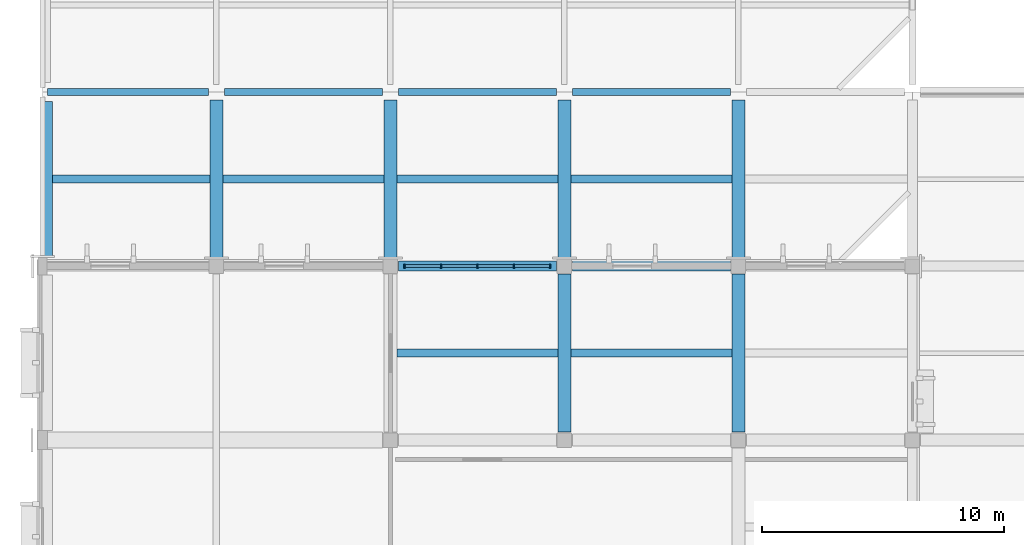
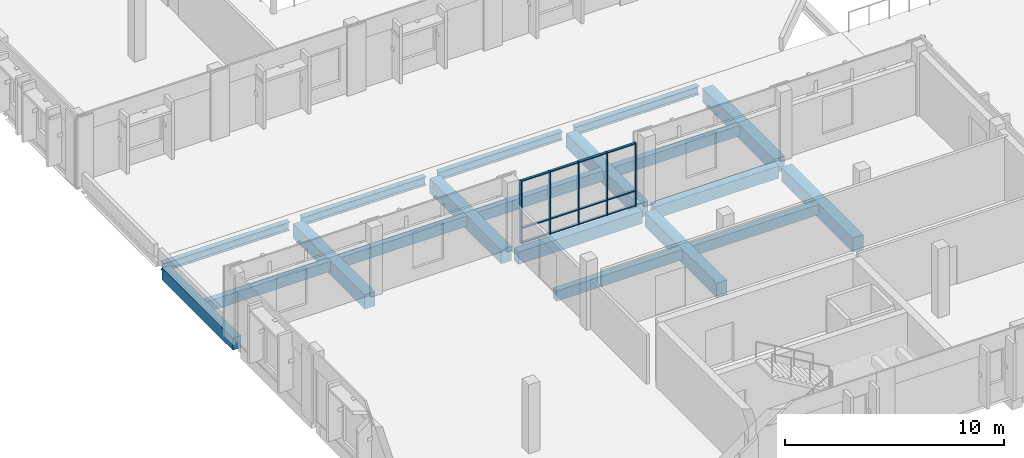
# One storey, part 13 of 64: 19 beams, 17 members, 1 element without a shape of its own.
"""IFC4 building model written with IfcOpenShell, lengths in metres."""

from ifc_helpers import new_model, si_unit, direction, frame, origin, origin_2d, place, context, subcontext, project, spatial, rectangle, i_section, extrude, material, material_profile, profile_set, type_object, element, aggregate, save


model = new_model("IFC4")

# Units and contexts
model_context = context("Model", 3, precision=1e-05, world=origin(), true_north=direction((0.0, 1.0)))
body_context = subcontext(model_context, "Body", "Model", "MODEL_VIEW")
ifc_project = project(units=[si_unit("LENGTHUNIT", "METRE"), si_unit("AREAUNIT", "SQUARE_METRE"), si_unit("VOLUMEUNIT", "CUBIC_METRE"), si_unit("PLANEANGLEUNIT", "RADIAN"), si_unit("MASSUNIT", "GRAM", prefix="KILO")], contexts=[model_context])

# Site, building, storey
site_placement = place(None, origin())
site = spatial("IfcSite", under=ifc_project, at=site_placement, CompositionType="ELEMENT")
building_placement = place(site_placement, origin())
building = spatial("IfcBuilding", under=site, at=building_placement, Name="Vervanel Yard Central Library", CompositionType="ELEMENT")
storey_placement = place(building_placement, frame((0.0, 0.0, 8.93994140625)))
storey = spatial("IfcBuildingStorey", under=building, at=storey_placement, Name="L02", CompositionType="ELEMENT", Elevation=8.93994140625)

# Curtain wall, members
ifc_material_1 = material(Name="Thermally broken anodized aluminium 6063-T6", Category="aluminium")
curtain_wall_type = type_object("IfcCurtainWallType", Name="Boulevard Cafe & Bridge Curtain Wall", PredefinedType="NOTDEFINED", material=ifc_material_1)
curtain_wall_placement = place(storey_placement, origin())
curtain_wall = element("IfcCurtainWall", 1, at=curtain_wall_placement, inside=storey, type_object=curtain_wall_type, Name="L02 Boulevard Cafe & Bridge Curtain Wall CWR-L02-199", PredefinedType="NOTDEFINED")
ifc_material_profile_1 = material_profile(ifc_material_1, rectangle(XDim=0.06005859375, YDim=0.159912109375, at=origin_2d()), Name="ALU 60x160", Category="aluminium")
ifc_profile_set_1 = profile_set([ifc_material_profile_1], Name="Thermally broken anodized aluminium 6063-T6")
member_type_1 = type_object("IfcMemberType", Name="Bridge & Courtyard Mullion 60x160", PredefinedType="MULLION", material=ifc_profile_set_1)
member_1_placement = place(storey_placement, frame((14.989990234375, 21.60009765625, 0.0), z_axis=(0.0, 0.0, 1.0), x_axis=(1.0, 0.0, 0.0)))
member_1 = element("IfcMember", 2, at=member_1_placement, type_object=member_type_1, Name="CWR-L02-199 Mullion 1", PredefinedType="MULLION", context=body_context, shape_type="SweptSolid", body=[
    extrude(rectangle(XDim=0.06005859375, YDim=0.159912109375, at=origin_2d()), origin(), (0.0, 0.0, 1.0), 3.510009765625),
])
member_2_placement = place(storey_placement, frame((16.4951171875, 21.60009765625, 0.0), z_axis=(0.0, 0.0, 1.0), x_axis=(1.0, 0.0, 0.0)))
member_2 = element("IfcMember", 3, at=member_2_placement, type_object=member_type_1, Name="CWR-L02-199 Mullion 2", PredefinedType="MULLION", context=body_context, shape_type="SweptSolid", body=[
    extrude(rectangle(XDim=0.06005859375, YDim=0.159912109375, at=origin_2d()), origin(), (0.0, 0.0, 1.0), 3.510009765625),
])
member_3_placement = place(storey_placement, frame((18.0, 21.60009765625, 0.0), z_axis=(0.0, 0.0, 1.0), x_axis=(1.0, 0.0, 0.0)))
member_3 = element("IfcMember", 4, at=member_3_placement, type_object=member_type_1, Name="CWR-L02-199 Mullion 3", PredefinedType="MULLION", context=body_context, shape_type="SweptSolid", body=[
    extrude(rectangle(XDim=0.06005859375, YDim=0.159912109375, at=origin_2d()), origin(), (0.0, 0.0, 1.0), 3.510009765625),
])
member_4_placement = place(storey_placement, frame((19.5048828125, 21.60009765625, 0.0), z_axis=(0.0, 0.0, 1.0), x_axis=(1.0, 0.0, 0.0)))
member_4 = element("IfcMember", 5, at=member_4_placement, type_object=member_type_1, Name="CWR-L02-199 Mullion 4", PredefinedType="MULLION", context=body_context, shape_type="SweptSolid", body=[
    extrude(rectangle(XDim=0.06005859375, YDim=0.159912109375, at=origin_2d()), origin(), (0.0, 0.0, 1.0), 3.510009765625),
])
member_5_placement = place(storey_placement, frame((21.010009765625, 21.60009765625, 0.0), z_axis=(0.0, 0.0, 1.0), x_axis=(1.0, 0.0, 0.0)))
member_5 = element("IfcMember", 6, at=member_5_placement, type_object=member_type_1, Name="CWR-L02-199 Mullion 5", PredefinedType="MULLION", context=body_context, shape_type="SweptSolid", body=[
    extrude(rectangle(XDim=0.06005859375, YDim=0.159912109375, at=origin_2d()), origin(), (0.0, 0.0, 1.0), 3.510009765625),
])
ifc_material_profile_2 = material_profile(ifc_material_1, rectangle(XDim=0.06005859375, YDim=0.1201171875, at=origin_2d()), Name="ALU 60x120", Category="aluminium")
ifc_profile_set_2 = profile_set([ifc_material_profile_2], Name="Thermally broken anodized aluminium 6063-T6")
member_type_2 = type_object("IfcMemberType", Name="Bridge & Courtyard Transom 60x120", PredefinedType="NOTDEFINED", material=ifc_profile_set_2)
member_6_placement = place(storey_placement, frame((15.02001953125, 21.60009765625, 0.030029296875), z_axis=(1.0, 0.0, 0.0), x_axis=(0.0, 0.0, 1.0)))
member_6 = element("IfcMember", 7, at=member_6_placement, type_object=member_type_2, Name="CWR-L02-199 Transom B1-T1", ObjectType="TRANSOM", PredefinedType="USERDEFINED", context=body_context, shape_type="SweptSolid", body=[
    extrude(rectangle(XDim=0.06005859375, YDim=0.1201171875, at=origin_2d()), origin(), (0.0, 0.0, 1.0), 1.445068359375),
])
member_7_placement = place(storey_placement, frame((15.02001953125, 21.60009765625, 0.85009765625), z_axis=(1.0, 0.0, 0.0), x_axis=(0.0, 0.0, 1.0)))
member_7 = element("IfcMember", 8, at=member_7_placement, type_object=member_type_2, Name="CWR-L02-199 Transom B1-T2", ObjectType="TRANSOM", PredefinedType="USERDEFINED", context=body_context, shape_type="SweptSolid", body=[
    extrude(rectangle(XDim=0.06005859375, YDim=0.1201171875, at=origin_2d()), origin(), (0.0, 0.0, 1.0), 1.445068359375),
])
member_8_placement = place(storey_placement, frame((15.02001953125, 21.60009765625, 3.47998046875), z_axis=(1.0, 0.0, 0.0), x_axis=(0.0, 0.0, 1.0)))
member_8 = element("IfcMember", 9, at=member_8_placement, type_object=member_type_2, Name="CWR-L02-199 Transom B1-T3", ObjectType="TRANSOM", PredefinedType="USERDEFINED", context=body_context, shape_type="SweptSolid", body=[
    extrude(rectangle(XDim=0.06005859375, YDim=0.1201171875, at=origin_2d()), origin(), (0.0, 0.0, 1.0), 1.445068359375),
])
member_9_placement = place(storey_placement, frame((16.52490234375, 21.60009765625, 0.030029296875), z_axis=(1.0, 0.0, 0.0), x_axis=(0.0, 0.0, 1.0)))
member_9 = element("IfcMember", 10, at=member_9_placement, type_object=member_type_2, Name="CWR-L02-199 Transom B2-T1", ObjectType="TRANSOM", PredefinedType="USERDEFINED", context=body_context, shape_type="SweptSolid", body=[
    extrude(rectangle(XDim=0.06005859375, YDim=0.1201171875, at=origin_2d()), origin(), (0.0, 0.0, 1.0), 1.445068359375),
])
member_10_placement = place(storey_placement, frame((16.52490234375, 21.60009765625, 0.85009765625), z_axis=(1.0, 0.0, 0.0), x_axis=(0.0, 0.0, 1.0)))
member_10 = element("IfcMember", 11, at=member_10_placement, type_object=member_type_2, Name="CWR-L02-199 Transom B2-T2", ObjectType="TRANSOM", PredefinedType="USERDEFINED", context=body_context, shape_type="SweptSolid", body=[
    extrude(rectangle(XDim=0.06005859375, YDim=0.1201171875, at=origin_2d()), origin(), (0.0, 0.0, 1.0), 1.445068359375),
])
member_11_placement = place(storey_placement, frame((16.52490234375, 21.60009765625, 3.47998046875), z_axis=(1.0, 0.0, 0.0), x_axis=(0.0, 0.0, 1.0)))
member_11 = element("IfcMember", 12, at=member_11_placement, type_object=member_type_2, Name="CWR-L02-199 Transom B2-T3", ObjectType="TRANSOM", PredefinedType="USERDEFINED", context=body_context, shape_type="SweptSolid", body=[
    extrude(rectangle(XDim=0.06005859375, YDim=0.1201171875, at=origin_2d()), origin(), (0.0, 0.0, 1.0), 1.445068359375),
])
member_12_placement = place(storey_placement, frame((18.030029296875, 21.60009765625, 0.030029296875), z_axis=(1.0, 0.0, 0.0), x_axis=(0.0, 0.0, 1.0)))
member_12 = element("IfcMember", 13, at=member_12_placement, type_object=member_type_2, Name="CWR-L02-199 Transom B3-T1", ObjectType="TRANSOM", PredefinedType="USERDEFINED", context=body_context, shape_type="SweptSolid", body=[
    extrude(rectangle(XDim=0.06005859375, YDim=0.1201171875, at=origin_2d()), origin(), (0.0, 0.0, 1.0), 1.445068359375),
])
member_13_placement = place(storey_placement, frame((18.030029296875, 21.60009765625, 0.85009765625), z_axis=(1.0, 0.0, 0.0), x_axis=(0.0, 0.0, 1.0)))
member_13 = element("IfcMember", 14, at=member_13_placement, type_object=member_type_2, Name="CWR-L02-199 Transom B3-T2", ObjectType="TRANSOM", PredefinedType="USERDEFINED", context=body_context, shape_type="SweptSolid", body=[
    extrude(rectangle(XDim=0.06005859375, YDim=0.1201171875, at=origin_2d()), origin(), (0.0, 0.0, 1.0), 1.445068359375),
])
member_14_placement = place(storey_placement, frame((18.030029296875, 21.60009765625, 3.47998046875), z_axis=(1.0, 0.0, 0.0), x_axis=(0.0, 0.0, 1.0)))
member_14 = element("IfcMember", 15, at=member_14_placement, type_object=member_type_2, Name="CWR-L02-199 Transom B3-T3", ObjectType="TRANSOM", PredefinedType="USERDEFINED", context=body_context, shape_type="SweptSolid", body=[
    extrude(rectangle(XDim=0.06005859375, YDim=0.1201171875, at=origin_2d()), origin(), (0.0, 0.0, 1.0), 1.445068359375),
])
member_15_placement = place(storey_placement, frame((19.534912109375, 21.60009765625, 0.030029296875), z_axis=(1.0, 0.0, 0.0), x_axis=(0.0, 0.0, 1.0)))
member_15 = element("IfcMember", 16, at=member_15_placement, type_object=member_type_2, Name="CWR-L02-199 Transom B4-T1", ObjectType="TRANSOM", PredefinedType="USERDEFINED", context=body_context, shape_type="SweptSolid", body=[
    extrude(rectangle(XDim=0.06005859375, YDim=0.1201171875, at=origin_2d()), origin(), (0.0, 0.0, 1.0), 1.445068359375),
])
member_16_placement = place(storey_placement, frame((19.534912109375, 21.60009765625, 0.85009765625), z_axis=(1.0, 0.0, 0.0), x_axis=(0.0, 0.0, 1.0)))
member_16 = element("IfcMember", 17, at=member_16_placement, type_object=member_type_2, Name="CWR-L02-199 Transom B4-T2", ObjectType="TRANSOM", PredefinedType="USERDEFINED", context=body_context, shape_type="SweptSolid", body=[
    extrude(rectangle(XDim=0.06005859375, YDim=0.1201171875, at=origin_2d()), origin(), (0.0, 0.0, 1.0), 1.445068359375),
])
member_17_placement = place(storey_placement, frame((19.534912109375, 21.60009765625, 3.47998046875), z_axis=(1.0, 0.0, 0.0), x_axis=(0.0, 0.0, 1.0)))
member_17 = element("IfcMember", 18, at=member_17_placement, type_object=member_type_2, Name="CWR-L02-199 Transom B4-T3", ObjectType="TRANSOM", PredefinedType="USERDEFINED", context=body_context, shape_type="SweptSolid", body=[
    extrude(rectangle(XDim=0.06005859375, YDim=0.1201171875, at=origin_2d()), origin(), (0.0, 0.0, 1.0), 1.445068359375),
])
aggregate(curtain_wall, [member_1, member_2, member_3, member_4, member_5, member_6, member_7, member_8, member_9, member_10, member_11, member_12, member_13, member_14, member_15, member_16, member_17])

# Beams
ifc_material_2 = material(Name="Concrete C40/50", Category="concrete")
ifc_material_profile_3 = material_profile(ifc_material_2, rectangle(XDim=0.419921875, YDim=0.679931640625, at=origin_2d()), Name="RC 420x680", Category="concrete")
ifc_profile_set_3 = profile_set([ifc_material_profile_3], Name="Concrete C40/50")
beam_type_1 = type_object("IfcBeamType", Name="Concrete Perimeter Spandrel 420x680", PredefinedType="SPANDREL", material=ifc_profile_set_3)
beam_1_placement = place(storey_placement, frame((14.72509765625, 21.60009765625, -0.625), z_axis=(1.0, 0.0, 0.0), x_axis=(0.0, 1.0, 0.0)))
element("IfcBeam", 19, at=beam_1_placement, inside=storey, type_object=beam_type_1, Name="L02 Girder SP-04 Y=21.6 X=14.4-21.6", PredefinedType="SPANDREL", context=body_context, shape_type="SweptSolid", body=[
    extrude(rectangle(XDim=0.419921875, YDim=0.679931640625, at=origin_2d()), origin(), (0.0, 0.0, 1.0), 6.5498046875),
])
beam_2_placement = place(storey_placement, frame((21.925048828125, 21.60009765625, -0.625), z_axis=(1.0, 0.0, 0.0), x_axis=(0.0, 1.0, 0.0)))
element("IfcBeam", 20, at=beam_2_placement, inside=storey, type_object=beam_type_1, Name="L02 Girder SP-04 Y=21.6 X=21.6-28.8", PredefinedType="SPANDREL", context=body_context, shape_type="SweptSolid", body=[
    extrude(rectangle(XDim=0.419921875, YDim=0.679931640625, at=origin_2d()), origin(), (0.0, 0.0, 1.0), 6.550048828125),
])
beam_3_placement = place(storey_placement, frame((0.199951171875, 21.9599609375, -0.594970703125), z_axis=(0.0, 1.0, 0.0), x_axis=(-1.0, 0.0, 0.0)))
element("IfcBeam", 21, at=beam_3_placement, inside=storey, type_object=beam_type_1, Name="L02 Girder SP-04 X=0.0 Y=21.6-28.8", PredefinedType="SPANDREL", context=body_context, shape_type="SweptSolid", body=[
    extrude(rectangle(XDim=0.419921875, YDim=0.679931640625, at=origin_2d()), origin(), (0.0, 0.0, 1.0), 6.449951171875),
])
ifc_material_profile_4 = material_profile(ifc_material_2, rectangle(XDim=0.550048828125, YDim=0.800048828125, at=origin_2d()), Name="RC 550x800", Category="concrete")
ifc_profile_set_4 = profile_set([ifc_material_profile_4], Name="Concrete C40/50")
beam_type_2 = type_object("IfcBeamType", Name="Concrete Primary Girder 550x800", PredefinedType="BEAM", material=ifc_profile_set_4)
for number, where, z_axis, x_axis, name in (
    (22, (7.199951171875, 21.925048828125, -0.655029296875), (0.0, 1.0, 0.0), (-1.0, 0.0, 0.0), "L02 Girder CB-02 X=7.2 Y=21.6-28.8"),
    (23, (14.39990234375, 21.925048828125, -0.655029296875), (0.0, 1.0, 0.0), (-1.0, 0.0, 0.0), "L02 Girder CB-02 X=14.4 Y=21.6-28.8"),
):
    element("IfcBeam", number, at=place(storey_placement, frame(where, z_axis=z_axis, x_axis=x_axis)), inside=storey, type_object=beam_type_2, Name=name, PredefinedType="BEAM", context=body_context, shape_type="SweptSolid", body=[
        extrude(rectangle(XDim=0.550048828125, YDim=0.800048828125, at=origin_2d()), origin(), (0.0, 0.0, 1.0), 6.550048828125),
    ])
beam_4_placement = place(storey_placement, frame((21.60009765625, 14.72509765625, -0.68505859375), z_axis=(0.0, 1.0, 0.0), x_axis=(-1.0, 0.0, 0.0)))
element("IfcBeam", 24, at=beam_4_placement, inside=storey, type_object=beam_type_2, Name="L02 Girder CB-02 X=21.6 Y=14.4-21.6", PredefinedType="BEAM", context=body_context, shape_type="SweptSolid", body=[
    extrude(rectangle(XDim=0.550048828125, YDim=0.800048828125, at=origin_2d()), origin(), (0.0, 0.0, 1.0), 6.5498046875),
])
beam_5_placement = place(storey_placement, frame((21.60009765625, 21.925048828125, -0.655029296875), z_axis=(0.0, 1.0, 0.0), x_axis=(-1.0, 0.0, 0.0)))
element("IfcBeam", 25, at=beam_5_placement, inside=storey, type_object=beam_type_2, Name="L02 Girder CB-02 X=21.6 Y=21.6-28.8", PredefinedType="BEAM", context=body_context, shape_type="SweptSolid", body=[
    extrude(rectangle(XDim=0.550048828125, YDim=0.800048828125, at=origin_2d()), origin(), (0.0, 0.0, 1.0), 6.550048828125),
])
beam_6_placement = place(storey_placement, frame((28.800048828125, 14.72509765625, -0.68505859375), z_axis=(0.0, 1.0, 0.0), x_axis=(-1.0, 0.0, 0.0)))
element("IfcBeam", 26, at=beam_6_placement, inside=storey, type_object=beam_type_2, Name="L02 Girder CB-02 X=28.8 Y=14.4-21.6", PredefinedType="BEAM", context=body_context, shape_type="SweptSolid", body=[
    extrude(rectangle(XDim=0.550048828125, YDim=0.800048828125, at=origin_2d()), origin(), (0.0, 0.0, 1.0), 6.5498046875),
])
beam_7_placement = place(storey_placement, frame((28.800048828125, 21.925048828125, -0.655029296875), z_axis=(0.0, 1.0, 0.0), x_axis=(-1.0, 0.0, 0.0)))
element("IfcBeam", 27, at=beam_7_placement, inside=storey, type_object=beam_type_2, Name="L02 Girder CB-02 X=28.8 Y=21.6-28.8", PredefinedType="BEAM", context=body_context, shape_type="SweptSolid", body=[
    extrude(rectangle(XDim=0.550048828125, YDim=0.800048828125, at=origin_2d()), origin(), (0.0, 0.0, 1.0), 6.550048828125),
])
ifc_material_profile_5 = material_profile(ifc_material_2, rectangle(XDim=0.320068359375, YDim=0.580078125, at=origin_2d()), Name="RC 320x580", Category="concrete")
ifc_profile_set_5 = profile_set([ifc_material_profile_5], Name="Concrete C40/50")
beam_type_3 = type_object("IfcBeamType", Name="Concrete Secondary Joist 320x580", PredefinedType="JOIST", material=ifc_profile_set_5)
beam_8_placement = place(storey_placement, frame((0.409912109375, 25.199951171875, -0.544921875), z_axis=(1.0, 0.0, 0.0), x_axis=(0.0, 1.0, 0.0)))
element("IfcBeam", 28, at=beam_8_placement, inside=storey, type_object=beam_type_3, Name="L02 Floor Joist CJ-04 Y=25.20 X=0.0-7.2", PredefinedType="JOIST", context=body_context, shape_type="SweptSolid", body=[
    extrude(rectangle(XDim=0.320068359375, YDim=0.580078125, at=origin_2d()), origin(), (0.0, 0.0, 1.0), 6.51513671875),
])
for number, where, z_axis, x_axis, name in (
    (29, (7.47509765625, 25.199951171875, -0.544921875), (1.0, 0.0, 0.0), (0.0, 1.0, 0.0), "L02 Floor Joist CJ-04 Y=25.20 X=7.2-14.4"),
    (30, (14.675048828125, 18.0, -0.574951171875), (1.0, 0.0, 0.0), (0.0, 1.0, 0.0), "L02 Floor Joist CJ-04 Y=18.00 X=14.4-21.6"),
    (31, (14.675048828125, 25.199951171875, -0.544921875), (1.0, 0.0, 0.0), (0.0, 1.0, 0.0), "L02 Floor Joist CJ-04 Y=25.20 X=14.4-21.6"),
    (32, (21.875, 18.0, -0.574951171875), (1.0, 0.0, 0.0), (0.0, 1.0, 0.0), "L02 Floor Joist CJ-04 Y=18.00 X=21.6-28.8"),
    (33, (21.875, 25.199951171875, -0.544921875), (1.0, 0.0, 0.0), (0.0, 1.0, 0.0), "L02 Floor Joist CJ-04 Y=25.20 X=21.6-28.8"),
):
    element("IfcBeam", number, at=place(storey_placement, frame(where, z_axis=z_axis, x_axis=x_axis)), inside=storey, type_object=beam_type_3, Name=name, PredefinedType="JOIST", context=body_context, shape_type="SweptSolid", body=[
        extrude(rectangle(XDim=0.320068359375, YDim=0.580078125, at=origin_2d()), origin(), (0.0, 0.0, 1.0), 6.64990234375),
    ])
ifc_material_3 = material(Name="Steel ASTM A992 Grade 50", Category="steel")
ifc_material_profile_6 = material_profile(ifc_material_3, i_section(OverallWidth=0.281982421875, OverallDepth=0.46728515625, WebThickness=0.01220703125, FlangeThickness=0.01953125, at=origin_2d()), Name="W18X86", Category="steel")
ifc_profile_set_6 = profile_set([ifc_material_profile_6], Name="Steel ASTM A992 Grade 50")
beam_type_4 = type_object("IfcBeamType", Name="Steel Spandrel Beam W18X86", PredefinedType="SPANDREL", material=ifc_profile_set_6)
beam_9_placement = place(storey_placement, frame((0.2099609375, 28.800048828125, -0.488525390625), z_axis=(1.0, 0.0, 0.0), x_axis=(0.0, 1.0, 0.0)))
element("IfcBeam", 34, at=beam_9_placement, inside=storey, type_object=beam_type_4, Name="L02 Girder SP-02 Y=28.8 X=0.0-7.2", PredefinedType="SPANDREL", context=body_context, shape_type="SweptSolid", body=[
    extrude(i_section(OverallWidth=0.281982421875, OverallDepth=0.46728515625, WebThickness=0.01220703125, FlangeThickness=0.01953125, at=origin_2d()), origin(), (0.0, 0.0, 1.0), 6.6650390625),
])
beam_10_placement = place(storey_placement, frame((7.52490234375, 28.800048828125, -0.488525390625), z_axis=(1.0, 0.0, 0.0), x_axis=(0.0, 1.0, 0.0)))
element("IfcBeam", 35, at=beam_10_placement, inside=storey, type_object=beam_type_4, Name="L02 Girder SP-02 Y=28.8 X=7.2-14.4", PredefinedType="SPANDREL", context=body_context, shape_type="SweptSolid", body=[
    extrude(i_section(OverallWidth=0.281982421875, OverallDepth=0.46728515625, WebThickness=0.01220703125, FlangeThickness=0.01953125, at=origin_2d()), origin(), (0.0, 0.0, 1.0), 6.550048828125),
])
beam_11_placement = place(storey_placement, frame((14.72509765625, 28.800048828125, -0.488525390625), z_axis=(1.0, 0.0, 0.0), x_axis=(0.0, 1.0, 0.0)))
element("IfcBeam", 36, at=beam_11_placement, inside=storey, type_object=beam_type_4, Name="L02 Girder SP-02 Y=28.8 X=14.4-21.6", PredefinedType="SPANDREL", context=body_context, shape_type="SweptSolid", body=[
    extrude(i_section(OverallWidth=0.281982421875, OverallDepth=0.46728515625, WebThickness=0.01220703125, FlangeThickness=0.01953125, at=origin_2d()), origin(), (0.0, 0.0, 1.0), 6.5498046875),
])
beam_12_placement = place(storey_placement, frame((21.925048828125, 28.800048828125, -0.488525390625), z_axis=(1.0, 0.0, 0.0), x_axis=(0.0, 1.0, 0.0)))
element("IfcBeam", 37, at=beam_12_placement, inside=storey, type_object=beam_type_4, Name="L02 Girder SP-02 Y=28.8 X=21.6-28.8", PredefinedType="SPANDREL", context=body_context, shape_type="SweptSolid", body=[
    extrude(i_section(OverallWidth=0.281982421875, OverallDepth=0.46728515625, WebThickness=0.01220703125, FlangeThickness=0.01953125, at=origin_2d()), origin(), (0.0, 0.0, 1.0), 6.550048828125),
])

save(model, "model.ifc")
